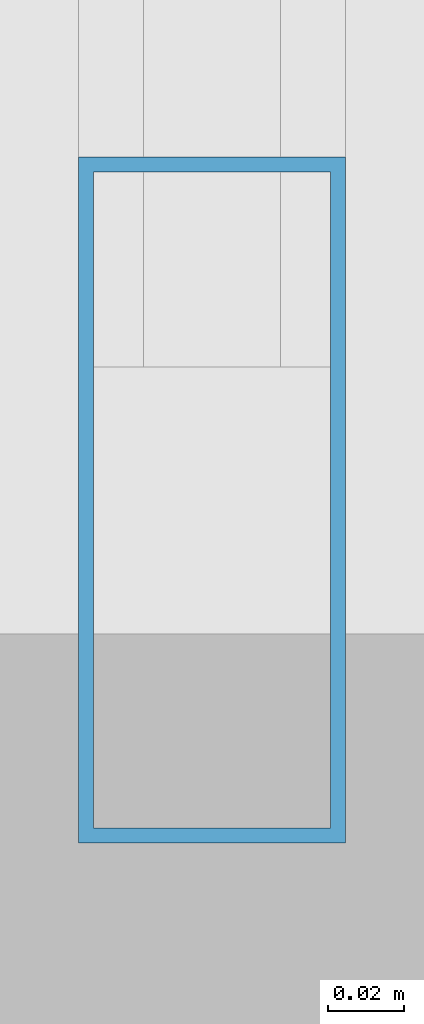
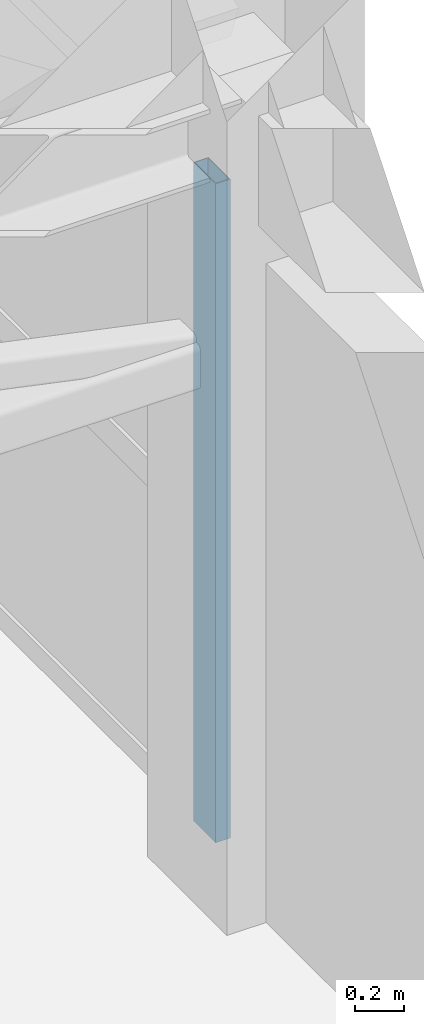
# One storey, part 5 of 35: 1 member, 1 element without a shape of its own.
"""IFC4 building model written with IfcOpenShell, lengths in metres."""

from ifc_helpers import new_model, si_unit, direction, frame, origin, origin_2d, place, context, subcontext, project, spatial, hollow_rectangle, extrude, material, layer, layer_set, material_profile, profile_set, type_object, element, aggregate, save


model = new_model("IFC4")

# Units and contexts
model_context = context("Model", 3, precision=1e-05, world=origin(), true_north=direction((0.0, 1.0)))
body_context = subcontext(model_context, "Body", "Model", "MODEL_VIEW")
ifc_project = project(units=[si_unit("LENGTHUNIT", "METRE"), si_unit("AREAUNIT", "SQUARE_METRE"), si_unit("VOLUMEUNIT", "CUBIC_METRE"), si_unit("PLANEANGLEUNIT", "RADIAN"), si_unit("MASSUNIT", "GRAM", prefix="KILO")], contexts=[model_context])

# Site, building, storey
site_placement = place(None, origin())
site = spatial("IfcSite", under=ifc_project, at=site_placement, CompositionType="ELEMENT")
building_placement = place(site_placement, origin())
building = spatial("IfcBuilding", under=site, at=building_placement, Name="Sillaruma Civic Art Gallery", CompositionType="ELEMENT")
storey_placement = place(building_placement, frame((0.0, 0.0, 74.4599609375)))
storey = spatial("IfcBuildingStorey", under=building, at=storey_placement, Name="L15", CompositionType="ELEMENT", Elevation=74.4599609375)

# Curtain wall, member
ifc_material = material(Name="Thermally Broken Extruded Aluminium 6063-T6", Category="aluminium")
ifc_layer = layer(ifc_material, 0.179931640625, Name="Thermally Broken Extruded Aluminium 6063-T6")
ifc_layer_set = layer_set([ifc_layer], Name="Thermally Broken Extruded Aluminium 6063-T6")
curtain_wall_type = type_object("IfcCurtainWallType", Name="CW-UNI-112", PredefinedType="NOTDEFINED", material=ifc_layer_set)
curtain_wall_placement = place(storey_placement, origin())
curtain_wall = element("IfcCurtainWall", 1, at=curtain_wall_placement, inside=storey, type_object=curtain_wall_type, Name="Unitised Curtain Wall CW-112 (CW-L15-WBE-4)", PredefinedType="NOTDEFINED")
ifc_material_profile = material_profile(ifc_material, hollow_rectangle(XDim=0.070068359375, YDim=0.179931640625, WallThickness=0.00390625, at=origin_2d()), Name="CWM70x180")
ifc_profile_set = profile_set([ifc_material_profile], Name="Thermally Broken Extruded Aluminium 6063-T6")
member_type = type_object("IfcMemberType", Name="MEM-MUL-CWM70x180", PredefinedType="MULLION", material=ifc_profile_set)
member_placement = place(storey_placement, frame((92.0, 49.860107421875, 0.0), z_axis=(0.0, 0.0, 1.0), x_axis=(-1.0, 0.0, 0.0)))
member = element("IfcMember", 2, at=member_placement, type_object=member_type, Name="CW-112 mullion 1", PredefinedType="MULLION", context=body_context, shape_type="SweptSolid", body=[
    extrude(hollow_rectangle(XDim=0.070068359375, YDim=0.179931640625, WallThickness=0.00390625, at=origin_2d()), origin(), (0.0, 0.0, 1.0), 3.2900390625),
])
aggregate(curtain_wall, [member])

save(model, "model.ifc")
